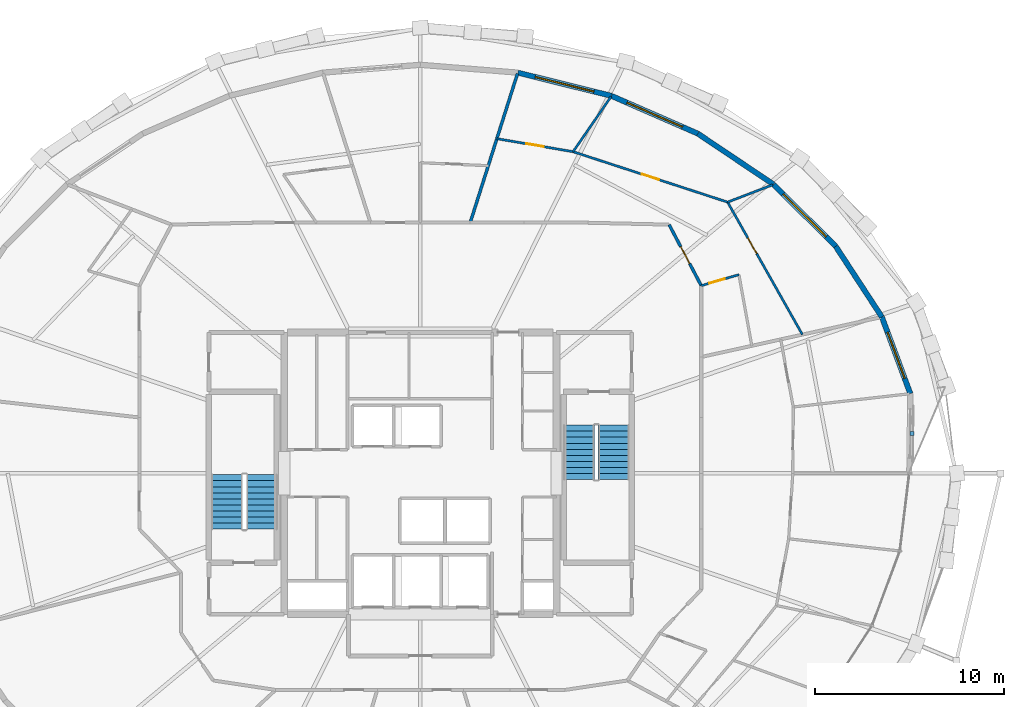
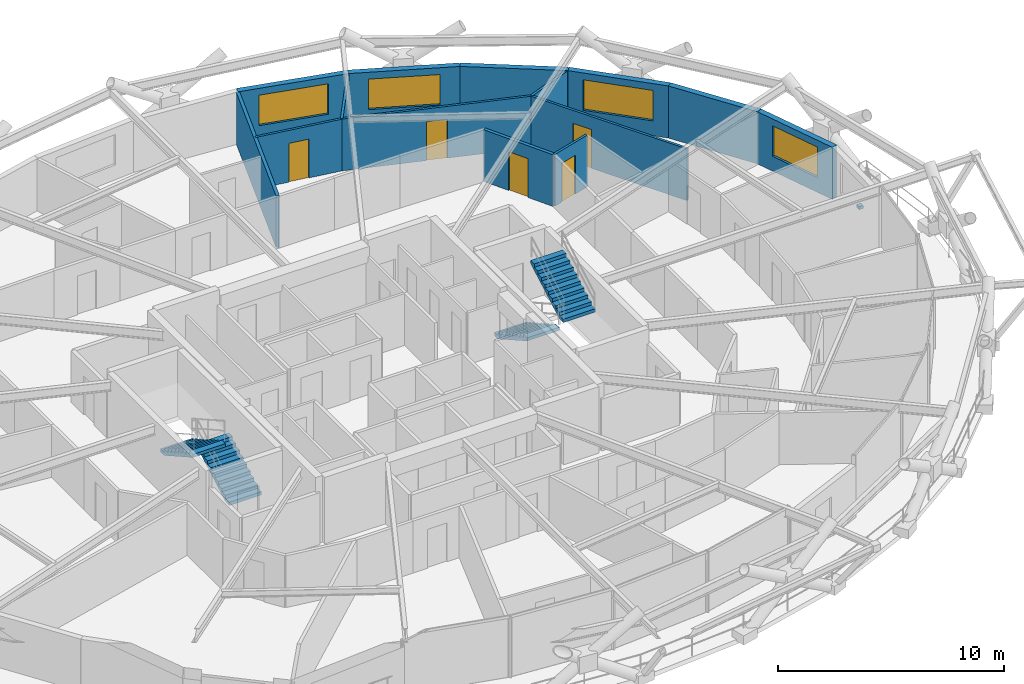
# One storey, part 19 of 22: 14 walls, 5 doors, 4 stair flights, 4 windows, 1 discrete accessory, 9 openings, 2 elements without a shape of their own.
"""IFC4 building model written with IfcOpenShell, lengths in metres."""

from ifc_helpers import new_model, si_unit, direction, frame, frame_2d, origin, origin_2d, place, context, subcontext, project, spatial, polyline, rectangle, outline, extrude, material, layer, layer_set, type_object, element, fill, aggregate, save


model = new_model("IFC4")

# Units and contexts
model_context = context("Model", 3, precision=1e-05, world=origin(), true_north=direction((0.0, 1.0)))
body_context = subcontext(model_context, "Body", "Model", "MODEL_VIEW")
ifc_project = project(units=[si_unit("LENGTHUNIT", "METRE"), si_unit("AREAUNIT", "SQUARE_METRE"), si_unit("VOLUMEUNIT", "CUBIC_METRE"), si_unit("PLANEANGLEUNIT", "RADIAN"), si_unit("MASSUNIT", "GRAM", prefix="KILO")], contexts=[model_context])

# Site, building, storey
site_placement = place(None, origin())
site = spatial("IfcSite", under=ifc_project, at=site_placement, CompositionType="ELEMENT")
building_placement = place(site_placement, origin())
building = spatial("IfcBuilding", under=site, at=building_placement, Name="Veldorina Hangang Commons", CompositionType="ELEMENT")
storey_placement = place(building_placement, frame((0.0, 0.0, 146.0)))
storey = spatial("IfcBuildingStorey", under=building, at=storey_placement, Name="L37", CompositionType="ELEMENT", Elevation=146.0)

# Wall, opening, window
ifc_material_1 = material(Name="Stone Roman Travertine", Category="masonry")
ifc_layer_1 = layer(ifc_material_1, 0.280029296875)
ifc_layer_set_1 = layer_set([ifc_layer_1], Name="Stone Roman Travertine")
wall_type_1 = type_object("IfcWallType", Name="EW-TRAV-280", PredefinedType="STANDARD", material=ifc_layer_set_1)
wall_1_placement = place(storey_placement, frame((57.903076171875, 28.2138671875, 0.0), z_axis=(0.0, 0.0, 1.0), x_axis=(-0.347777987911, 0.937576914778, 0.0)))
wall_1 = element("IfcWall", 1, at=wall_1_placement, inside=storey, type_object=wall_type_1, Name="L37 travertine facade wall 01", PredefinedType="STANDARD", context=body_context, shape_type="SweptSolid", body=[
    extrude(rectangle(XDim=4.321533203125, YDim=0.280029296875, at=frame_2d((2.16064453125, 0.0))), origin(), (0.0, 0.0, 1.0), 2.820068359375),
])
opening_1_placement = place(wall_1_placement, frame((0.86083984375, 0.0, 0.800048828125)))
opening_1 = element("IfcOpeningElement", 2, at=opening_1_placement, cuts=wall_1, Name="Opening W-02", PredefinedType="OPENING", context=body_context, shape_type="SweptSolid", body=[
    extrude(rectangle(XDim=2.60009765625, YDim=1.64990234375, at=frame_2d((1.300048828125, 0.824951171875))), frame((0.0, 0.14990234375, 0.0), z_axis=(0.0, -1.0, 0.0), x_axis=(1.0, 0.0, 0.0)), (0.0, 0.0, 1.0), 0.300048828125),
])
ifc_material_2 = material(Name="Glass Low-E Triple IGU", Category="glass")
window_type_1 = type_object("IfcWindowType", Name="WIN-TWR-2600", PartitioningType="SINGLE_PANEL", PredefinedType="WINDOW", material=ifc_material_2)
window_1_placement = place(opening_1_placement, origin())
window_1 = element("IfcWindow", 3, at=window_1_placement, inside=storey, type_object=window_type_1, Name="L37 facade window 01", OverallHeight=1.64990234375, OverallWidth=2.60009765625, PartitioningType="SINGLE_PANEL", PredefinedType="WINDOW", context=body_context, shape_type="SweptSolid", body=[
    extrude(rectangle(XDim=2.60009765625, YDim=1.64990234375, at=frame_2d((1.300048828125, 0.824951171875))), frame((0.0, 0.030029296875, 0.0), z_axis=(0.0, -1.0, 0.0), x_axis=(1.0, 0.0, 0.0)), (0.0, 0.0, 1.0), 0.06005859375),
])
fill(opening_1, window_1)

# Wall
wall_2_placement = place(storey_placement, frame((56.400146484375, 32.265625, 0.0), z_axis=(0.0, 0.0, 1.0), x_axis=(-0.547087162156, 0.837075645927, 0.0)))
element("IfcWall", 4, at=wall_2_placement, inside=storey, type_object=wall_type_1, Name="L37 travertine facade wall 02", PredefinedType="STANDARD", context=body_context, shape_type="SweptSolid", body=[
    extrude(rectangle(XDim=4.461181640625, YDim=0.280029296875, at=frame_2d((2.23046875, 0.0))), origin(), (0.0, 0.0, 1.0), 2.820068359375),
])

# Wall, opening, window
wall_3_placement = place(storey_placement, frame((53.95947265625, 36.0, 0.0), z_axis=(0.0, 0.0, 1.0), x_axis=(-0.708343047993, 0.70586834917, 0.0)))
wall_3 = element("IfcWall", 5, at=wall_3_placement, inside=storey, type_object=wall_type_1, Name="L37 travertine facade wall 03", PredefinedType="STANDARD", context=body_context, shape_type="SweptSolid", body=[
    extrude(rectangle(XDim=4.63671875, YDim=0.280029296875, at=frame_2d((2.318359375, 0.0))), origin(), (0.0, 0.0, 1.0), 2.820068359375),
])
opening_2_placement = place(wall_3_placement, frame((0.718505859375, 0.0, 0.800048828125)))
opening_2 = element("IfcOpeningElement", 6, at=opening_2_placement, cuts=wall_3, Name="Opening W-01", PredefinedType="OPENING", context=body_context, shape_type="SweptSolid", body=[
    extrude(rectangle(XDim=3.199951171875, YDim=1.64990234375, at=frame_2d((1.60009765625, 0.824951171875))), frame((0.0, 0.14990234375, 0.0), z_axis=(0.0, -1.0, 0.0), x_axis=(1.0, 0.0, 0.0)), (0.0, 0.0, 1.0), 0.300048828125),
])
window_type_2 = type_object("IfcWindowType", Name="WIN-TWR-3200", PartitioningType="SINGLE_PANEL", PredefinedType="WINDOW", material=ifc_material_2)
window_2_placement = place(opening_2_placement, origin())
window_2 = element("IfcWindow", 7, at=window_2_placement, inside=storey, type_object=window_type_2, Name="L37 facade window 03", OverallHeight=1.64990234375, OverallWidth=3.199951171875, PartitioningType="SINGLE_PANEL", PredefinedType="WINDOW", context=body_context, shape_type="SweptSolid", body=[
    extrude(rectangle(XDim=3.199951171875, YDim=1.64990234375, at=frame_2d((1.60009765625, 0.824951171875))), frame((0.0, 0.030029296875, 0.0), z_axis=(0.0, -1.0, 0.0), x_axis=(1.0, 0.0, 0.0)), (0.0, 0.0, 1.0), 0.06005859375),
])
fill(opening_2, window_2)

# Wall
wall_4_placement = place(storey_placement, frame((50.675048828125, 39.27294921875, 0.0), z_axis=(0.0, 0.0, 1.0), x_axis=(-0.830308520581, 0.557304010977, 0.0)))
element("IfcWall", 8, at=wall_4_placement, inside=storey, type_object=wall_type_1, Name="L37 travertine facade wall 04", PredefinedType="STANDARD", context=body_context, shape_type="SweptSolid", body=[
    extrude(rectangle(XDim=4.820068359375, YDim=0.280029296875, at=frame_2d((2.41015625, 0.0))), origin(), (0.0, 0.0, 1.0), 2.820068359375),
])

# Wall, opening, window
wall_5_placement = place(storey_placement, frame((46.6728515625, 41.959228515625, 0.0), z_axis=(0.0, 0.0, 1.0), x_axis=(-0.916285475586, 0.400525813438, 0.0)))
wall_5 = element("IfcWall", 9, at=wall_5_placement, inside=storey, type_object=wall_type_1, Name="L37 travertine facade wall 05", PredefinedType="STANDARD", context=body_context, shape_type="SweptSolid", body=[
    extrude(rectangle(XDim=4.983154296875, YDim=0.280029296875, at=frame_2d((2.49169921875, 0.0))), origin(), (0.0, 0.0, 1.0), 2.820068359375),
])
opening_3_placement = place(wall_5_placement, frame((0.8916015625, 0.0, 0.800048828125)))
opening_3 = element("IfcOpeningElement", 10, at=opening_3_placement, cuts=wall_5, Name="Opening W-01", PredefinedType="OPENING", context=body_context, shape_type="SweptSolid", body=[
    extrude(rectangle(XDim=3.199951171875, YDim=1.64990234375, at=frame_2d((1.60009765625, 0.824951171875))), frame((0.0, 0.14990234375, 0.0), z_axis=(0.0, -1.0, 0.0), x_axis=(1.0, 0.0, 0.0)), (0.0, 0.0, 1.0), 0.300048828125),
])
window_3_placement = place(opening_3_placement, origin())
window_3 = element("IfcWindow", 11, at=window_3_placement, inside=storey, type_object=window_type_2, Name="L37 facade window 05", OverallHeight=1.64990234375, OverallWidth=3.199951171875, PartitioningType="SINGLE_PANEL", PredefinedType="WINDOW", context=body_context, shape_type="SweptSolid", body=[
    extrude(rectangle(XDim=3.199951171875, YDim=1.64990234375, at=frame_2d((1.60009765625, 0.824951171875))), frame((0.0, 0.030029296875, 0.0), z_axis=(0.0, -1.0, 0.0), x_axis=(1.0, 0.0, 0.0)), (0.0, 0.0, 1.0), 0.06005859375),
])
fill(opening_3, window_3)

wall_6_placement = place(storey_placement, frame((42.10693359375, 43.955078125, 0.0), z_axis=(0.0, 0.0, 1.0), x_axis=(-0.970574196652, 0.240802260774, 0.0)))
wall_6 = element("IfcWall", 12, at=wall_6_placement, inside=storey, type_object=wall_type_1, Name="L37 travertine facade wall 06", PredefinedType="STANDARD", context=body_context, shape_type="SweptSolid", body=[
    extrude(rectangle(XDim=5.104736328125, YDim=0.280029296875, at=frame_2d((2.55224609375, 0.0))), origin(), (0.0, 0.0, 1.0), 2.820068359375),
])
opening_4_placement = place(wall_6_placement, frame((0.952392578125, 0.0, 0.800048828125)))
opening_4 = element("IfcOpeningElement", 13, at=opening_4_placement, cuts=wall_6, Name="Opening W-01", PredefinedType="OPENING", context=body_context, shape_type="SweptSolid", body=[
    extrude(rectangle(XDim=3.199951171875, YDim=1.64990234375, at=frame_2d((1.60009765625, 0.824951171875))), frame((0.0, 0.14990234375, 0.0), z_axis=(0.0, -1.0, 0.0), x_axis=(1.0, 0.0, 0.0)), (0.0, 0.0, 1.0), 0.300048828125),
])
window_4_placement = place(opening_4_placement, origin())
window_4 = element("IfcWindow", 14, at=window_4_placement, inside=storey, type_object=window_type_2, Name="L37 facade window 06", OverallHeight=1.64990234375, OverallWidth=3.199951171875, PartitioningType="SINGLE_PANEL", PredefinedType="WINDOW", context=body_context, shape_type="SweptSolid", body=[
    extrude(rectangle(XDim=3.199951171875, YDim=1.64990234375, at=frame_2d((1.60009765625, 0.824951171875))), frame((0.0, 0.030029296875, 0.0), z_axis=(0.0, -1.0, 0.0), x_axis=(1.0, 0.0, 0.0)), (0.0, 0.0, 1.0), 0.06005859375),
])
fill(opening_4, window_4)

# Wall, opening, door
ifc_material_3 = material(Name="Gypsum Fire-Rated Twin Stud Wall", Category="gypsum")
ifc_layer_2 = layer(ifc_material_3, 0.159912109375)
ifc_layer_set_2 = layer_set([ifc_layer_2], Name="Gypsum Fire-Rated Twin Stud Wall")
wall_type_2 = type_object("IfcWallType", Name="WL-FIRE-160", PredefinedType="SOLIDWALL", material=ifc_layer_set_2)
wall_7_placement = place(storey_placement, frame((46.85009765625, 33.922607421875, 0.0), z_axis=(0.0, 0.0, 1.0), x_axis=(-0.466093963429, 0.884735224378, 0.0)))
wall_7 = element("IfcWall", 15, at=wall_7_placement, inside=storey, type_object=wall_type_2, Name="L37 U-corridor outer wall 03 053", PredefinedType="SOLIDWALL", context=body_context, shape_type="SweptSolid", body=[
    extrude(rectangle(XDim=3.647705078125, YDim=0.159912109375, at=frame_2d((1.82373046875, 0.0))), origin(), (0.0, 0.0, 1.0), 2.800048828125),
])
opening_5_placement = place(wall_7_placement, frame((1.323974609375, 0.0, 0.0)))
opening_5 = element("IfcOpeningElement", 16, at=opening_5_placement, cuts=wall_7, Name="Opening D-06", PredefinedType="OPENING", context=body_context, shape_type="SweptSolid", body=[
    extrude(rectangle(XDim=1.0, YDim=2.10009765625, at=frame_2d((0.5, 1.050048828125))), frame((0.0, 0.08984375, 0.0), z_axis=(0.0, -1.0, 0.0), x_axis=(1.0, 0.0, 0.0)), (0.0, 0.0, 1.0), 0.179931640625),
])
ifc_material_4 = material(Name="Timber Fire-Rated Entrance Core", Category="wood")
door_type_1 = type_object("IfcDoorType", Name="DR-UNIT-1000", OperationType="SINGLE_SWING_LEFT", PredefinedType="DOOR", material=ifc_material_4)
door_1_placement = place(opening_5_placement, origin())
door_1 = element("IfcDoor", 17, at=door_1_placement, inside=storey, type_object=door_type_1, Name="L37 Cluster 3 entrance door 033", OperationType="SINGLE_SWING_LEFT", OverallHeight=2.10009765625, OverallWidth=1.0, PredefinedType="DOOR", context=body_context, shape_type="SweptSolid", body=[
    extrude(rectangle(XDim=1.0, YDim=2.10009765625, at=frame_2d((0.5, 1.050048828125))), frame((0.0, 0.02490234375, 0.0), z_axis=(0.0, -1.0, 0.0), x_axis=(1.0, 0.0, 0.0)), (0.0, 0.0, 1.0), 0.050048828125),
])
fill(opening_5, door_1)

# Wall
wall_8_placement = place(storey_placement, frame((34.635498046875, 37.25, 0.0), z_axis=(0.0, 0.0, 1.0), x_axis=(0.302358297893, 0.953194345186, 0.0)))
element("IfcWall", 18, at=wall_8_placement, inside=storey, type_object=wall_type_2, Name="L37 Unit party wall 07 108", PredefinedType="SOLIDWALL", context=body_context, shape_type="SweptSolid", body=[
    extrude(rectangle(XDim=8.27392578125, YDim=0.159912109375, at=frame_2d((4.136962890625, 0.0))), origin(), (0.0, 0.0, 1.0), 2.800048828125),
])

# Wall, opening, door
ifc_material_5 = material(Name="Gypsum Acoustic Stud Partition", Category="gypsum")
ifc_layer_3 = layer(ifc_material_5, 0.1201171875)
ifc_layer_set_3 = layer_set([ifc_layer_3], Name="Gypsum Acoustic Stud Partition")
wall_type_3 = type_object("IfcWallType", Name="WL-PART-120", PredefinedType="PARTITIONING", material=ifc_layer_set_3)
wall_9_placement = place(storey_placement, frame((46.85009765625, 33.922607421875, 0.0), z_axis=(0.0, 0.0, 1.0), x_axis=(0.959881252976, 0.280406811944, 0.0)))
wall_9 = element("IfcWall", 19, at=wall_9_placement, inside=storey, type_object=wall_type_3, Name="L37 Cluster 3 bath side wall 102", PredefinedType="PARTITIONING", context=body_context, shape_type="SweptSolid", body=[
    extrude(rectangle(XDim=2.073974609375, YDim=0.1201171875, at=frame_2d((1.037109375, 0.0))), origin(), (0.0, 0.0, 1.0), 2.800048828125),
])
opening_6_placement = place(wall_9_placement, frame((0.43994140625, 0.0, 0.0)))
opening_6 = element("IfcOpeningElement", 20, at=opening_6_placement, cuts=wall_9, Name="Opening D-01", PredefinedType="OPENING", context=body_context, shape_type="SweptSolid", body=[
    extrude(rectangle(XDim=0.860107421875, YDim=2.10009765625, at=frame_2d((0.43017578125, 1.050048828125))), frame((0.0, 0.070068359375, 0.0), z_axis=(0.0, -1.0, 0.0), x_axis=(1.0, 0.0, 0.0)), (0.0, 0.0, 1.0), 0.14013671875),
])
ifc_material_6 = material(Name="Timber Moisture-Resistant Core", Category="wood")
door_type_2 = type_object("IfcDoorType", Name="DR-WET-860", OperationType="SINGLE_SWING_LEFT", PredefinedType="DOOR", material=ifc_material_6)
door_2_placement = place(opening_6_placement, origin())
door_2 = element("IfcDoor", 21, at=door_2_placement, inside=storey, type_object=door_type_2, Name="L37 Cluster 3 shared bathroom door 032", OperationType="SINGLE_SWING_RIGHT", OverallHeight=2.10009765625, OverallWidth=0.860107421875, PredefinedType="DOOR", context=body_context, shape_type="SweptSolid", body=[
    extrude(rectangle(XDim=0.860107421875, YDim=2.10009765625, at=frame_2d((0.43017578125, 1.050048828125))), frame((0.0, 0.02490234375, 0.0), z_axis=(0.0, -1.0, 0.0), x_axis=(1.0, 0.0, 0.0)), (0.0, 0.0, 1.0), 0.050048828125),
])
fill(opening_6, door_2)

wall_10_placement = place(storey_placement, frame((52.197998046875, 31.335205078125, 0.0), z_axis=(0.0, 0.0, 1.0), x_axis=(-0.491634094676, 0.870801881574, 0.0)))
wall_10 = element("IfcWall", 22, at=wall_10_placement, inside=storey, type_object=wall_type_3, Name="L37 Cluster 3 bed 1 front wall 103", PredefinedType="PARTITIONING", context=body_context, shape_type="SweptSolid", body=[
    extrude(rectangle(XDim=8.042724609375, YDim=0.1201171875, at=frame_2d((4.021484375, 0.0))), origin(), (0.0, 0.0, 1.0), 2.800048828125),
])
opening_7_placement = place(wall_10_placement, frame((4.9130859375, 0.0, 0.0)))
opening_7 = element("IfcOpeningElement", 23, at=opening_7_placement, cuts=wall_10, Name="Opening D-02", PredefinedType="OPENING", context=body_context, shape_type="SweptSolid", body=[
    extrude(rectangle(XDim=0.949951171875, YDim=2.10009765625, at=frame_2d((0.47509765625, 1.050048828125))), frame((0.0, 0.070068359375, 0.0), z_axis=(0.0, -1.0, 0.0), x_axis=(1.0, 0.0, 0.0)), (0.0, 0.0, 1.0), 0.14013671875),
])
ifc_material_7 = material(Name="Timber Solid Core Acoustic", Category="wood")
door_type_3 = type_object("IfcDoorType", Name="DR-INT-950", OperationType="SINGLE_SWING_LEFT", PredefinedType="DOOR", material=ifc_material_7)
door_3_placement = place(opening_7_placement, origin())
door_3 = element("IfcDoor", 24, at=door_3_placement, inside=storey, type_object=door_type_3, Name="L37 Cluster 3 bed 1 door 034", OperationType="SINGLE_SWING_RIGHT", OverallHeight=2.10009765625, OverallWidth=0.949951171875, PredefinedType="DOOR", context=body_context, shape_type="SweptSolid", body=[
    extrude(rectangle(XDim=0.949951171875, YDim=2.10009765625, at=frame_2d((0.47509765625, 1.050048828125))), frame((0.0, 0.02490234375, 0.0), z_axis=(0.0, -1.0, 0.0), x_axis=(1.0, 0.0, 0.0)), (0.0, 0.0, 1.0), 0.050048828125),
])
fill(opening_7, door_3)

wall_11_placement = place(storey_placement, frame((48.243896484375, 38.3388671875, 0.0), z_axis=(0.0, 0.0, 1.0), x_axis=(-0.950656085118, 0.310246688667, 0.0)))
wall_11 = element("IfcWall", 25, at=wall_11_placement, inside=storey, type_object=wall_type_3, Name="L37 Cluster 3 bed 2 front wall 104", PredefinedType="PARTITIONING", context=body_context, shape_type="SweptSolid", body=[
    extrude(rectangle(XDim=8.59326171875, YDim=0.1201171875, at=frame_2d((4.296630859375, 0.0))), origin(), (0.0, 0.0, 1.0), 2.800048828125),
])
opening_8_placement = place(wall_11_placement, frame((3.821533203125, 0.0, 0.0)))
opening_8 = element("IfcOpeningElement", 26, at=opening_8_placement, cuts=wall_11, Name="Opening D-02", PredefinedType="OPENING", context=body_context, shape_type="SweptSolid", body=[
    extrude(rectangle(XDim=0.949951171875, YDim=2.10009765625, at=frame_2d((0.47509765625, 1.050048828125))), frame((0.0, 0.070068359375, 0.0), z_axis=(0.0, -1.0, 0.0), x_axis=(1.0, 0.0, 0.0)), (0.0, 0.0, 1.0), 0.14013671875),
])
door_4_placement = place(opening_8_placement, origin())
door_4 = element("IfcDoor", 27, at=door_4_placement, inside=storey, type_object=door_type_3, Name="L37 Cluster 3 bed 2 door 035", OperationType="SINGLE_SWING_LEFT", OverallHeight=2.10009765625, OverallWidth=0.949951171875, PredefinedType="DOOR", context=body_context, shape_type="SweptSolid", body=[
    extrude(rectangle(XDim=0.949951171875, YDim=2.10009765625, at=frame_2d((0.47509765625, 1.050048828125))), frame((0.0, 0.02490234375, 0.0), z_axis=(0.0, -1.0, 0.0), x_axis=(1.0, 0.0, 0.0)), (0.0, 0.0, 1.0), 0.050048828125),
])
fill(opening_8, door_4)

# Wall
wall_12_placement = place(storey_placement, frame((48.243896484375, 38.3388671875, 0.0), z_axis=(0.0, 0.0, 1.0), x_axis=(0.933458867587, 0.358684460945, 0.0)))
element("IfcWall", 28, at=wall_12_placement, inside=storey, type_object=wall_type_3, Name="L37 Cluster 3 bed divider 1 105", PredefinedType="PARTITIONING", context=body_context, shape_type="SweptSolid", body=[
    extrude(rectangle(XDim=2.554443359375, YDim=0.1201171875, at=frame_2d((1.27734375, 0.0))), origin(), (0.0, 0.0, 1.0), 2.800048828125),
])

# Wall, opening, door
wall_13_placement = place(storey_placement, frame((40.07470703125, 41.0048828125, 0.0), z_axis=(0.0, 0.0, 1.0), x_axis=(-0.985727483478, 0.16834882927, 0.0)))
wall_13 = element("IfcWall", 29, at=wall_13_placement, inside=storey, type_object=wall_type_3, Name="L37 Cluster 3 bed 3 front wall 106", PredefinedType="PARTITIONING", context=body_context, shape_type="SweptSolid", body=[
    extrude(rectangle(XDim=4.088134765625, YDim=0.1201171875, at=frame_2d((2.0439453125, 0.0))), origin(), (0.0, 0.0, 1.0), 2.800048828125),
])
opening_9_placement = place(wall_13_placement, frame((1.569091796875, 0.0, 0.0)))
opening_9 = element("IfcOpeningElement", 30, at=opening_9_placement, cuts=wall_13, Name="Opening D-02", PredefinedType="OPENING", context=body_context, shape_type="SweptSolid", body=[
    extrude(rectangle(XDim=0.949951171875, YDim=2.10009765625, at=frame_2d((0.47509765625, 1.050048828125))), frame((0.0, 0.070068359375, 0.0), z_axis=(0.0, -1.0, 0.0), x_axis=(1.0, 0.0, 0.0)), (0.0, 0.0, 1.0), 0.14013671875),
])
door_5_placement = place(opening_9_placement, origin())
door_5 = element("IfcDoor", 31, at=door_5_placement, inside=storey, type_object=door_type_3, Name="L37 Cluster 3 bed 3 door 036", OperationType="SINGLE_SWING_RIGHT", OverallHeight=2.10009765625, OverallWidth=0.949951171875, PredefinedType="DOOR", context=body_context, shape_type="SweptSolid", body=[
    extrude(rectangle(XDim=0.949951171875, YDim=2.10009765625, at=frame_2d((0.47509765625, 1.050048828125))), frame((0.0, 0.02490234375, 0.0), z_axis=(0.0, -1.0, 0.0), x_axis=(1.0, 0.0, 0.0)), (0.0, 0.0, 1.0), 0.050048828125),
])
fill(opening_9, door_5)

# Wall
wall_14_placement = place(storey_placement, frame((40.07470703125, 41.0048828125, 0.0), z_axis=(0.0, 0.0, 1.0), x_axis=(0.56726774044, 0.8235334302, 0.0)))
element("IfcWall", 32, at=wall_14_placement, inside=storey, type_object=wall_type_3, Name="L37 Cluster 3 bed divider 2 107", PredefinedType="PARTITIONING", context=body_context, shape_type="SweptSolid", body=[
    extrude(rectangle(XDim=3.532470703125, YDim=0.1201171875, at=frame_2d((1.76611328125, 0.0))), origin(), (0.0, 0.0, 1.0), 2.800048828125),
])

# Stair, stair flights
ifc_material_8 = material(Name="Concrete C40/50", Category="concrete")
stair_type = type_object("IfcStairType", Name="STR-DOG-1650-20R", PredefinedType="HALF_TURN_STAIR", material=ifc_material_8)
stair_1_placement = place(storey_placement, origin())
stair_1 = element("IfcStair", 33, at=stair_1_placement, inside=storey, type_object=stair_type, Name="L37 Exit stair ST-1", PredefinedType="HALF_TURN_STAIR")
stair_flight_type = type_object("IfcStairFlightType", Name="SFL-STR-1650-20R", PredefinedType="STRAIGHT", material=ifc_material_8)
stair_flight_1_placement = place(storey_placement, frame((23.625, 21.050048828125, 0.0), z_axis=(0.0, 0.0, 1.0), x_axis=(0.0, 1.0, 0.0)))
stair_flight_1 = element("IfcStairFlight", 34, at=stair_flight_1_placement, type_object=stair_flight_type, Name="ST-1 flight 1", NumberOfRisers=10, NumberOfTreads=9, PredefinedType="STRAIGHT", RiserHeight=0.18, TreadLength=0.32, context=body_context, shape_type="SweptSolid", body=[
    extrude(outline(polyline([(0.0, 0.0), (0.0, 0.179931640625), (0.320068359375, 0.179931640625), (0.320068359375, 0.360107421875), (0.639892578125, 0.360107421875), (0.639892578125, 0.5400390625), (0.9599609375, 0.5400390625), (0.9599609375, 0.719970703125), (1.280029296875, 0.719970703125), (1.280029296875, 0.89990234375), (1.60009765625, 0.89990234375), (1.60009765625, 1.080078125), (1.919921875, 1.080078125), (1.919921875, 1.260009765625), (2.239990234375, 1.260009765625), (2.239990234375, 1.43994140625), (2.56005859375, 1.43994140625), (2.56005859375, 1.6201171875), (2.8798828125, 1.6201171875), (2.8798828125, 1.800048828125), (2.8798828125, 1.447998046875), (0.3056640625, 0.0), (0.0, 0.0)])), frame((0.0, 0.824951171875, 0.0), z_axis=(0.0, -1.0, 0.0), x_axis=(1.0, 0.0, 0.0)), (0.0, 0.0, 1.0), 1.64990234375),
])
stair_flight_2_placement = place(storey_placement, frame((21.77490234375, 23.929931640625, 1.800048828125), z_axis=(0.0, 0.0, 1.0), x_axis=(0.0, -1.0, 0.0)))
stair_flight_2 = element("IfcStairFlight", 35, at=stair_flight_2_placement, type_object=stair_flight_type, Name="ST-1 flight 2", NumberOfRisers=10, NumberOfTreads=9, PredefinedType="STRAIGHT", RiserHeight=0.18, TreadLength=0.32, context=body_context, shape_type="SweptSolid", body=[
    extrude(outline(polyline([(0.0, 0.0), (0.0, 0.179931640625), (0.320068359375, 0.179931640625), (0.320068359375, 0.360107421875), (0.639892578125, 0.360107421875), (0.639892578125, 0.5400390625), (0.9599609375, 0.5400390625), (0.9599609375, 0.719970703125), (1.280029296875, 0.719970703125), (1.280029296875, 0.89990234375), (1.60009765625, 0.89990234375), (1.60009765625, 1.080078125), (1.919921875, 1.080078125), (1.919921875, 1.260009765625), (2.239990234375, 1.260009765625), (2.239990234375, 1.43994140625), (2.56005859375, 1.43994140625), (2.56005859375, 1.6201171875), (2.8798828125, 1.6201171875), (2.8798828125, 1.800048828125), (2.8798828125, 1.447998046875), (0.3056640625, 0.0), (0.0, 0.0)])), frame((0.0, 0.824951171875, 0.0), z_axis=(0.0, -1.0, 0.0), x_axis=(1.0, 0.0, 0.0)), (0.0, 0.0, 1.0), 1.64990234375),
])
aggregate(stair_1, [stair_flight_1, stair_flight_2])

stair_2_placement = place(storey_placement, origin())
stair_2 = element("IfcStair", 36, at=stair_2_placement, inside=storey, type_object=stair_type, Name="L37 Exit stair ST-2", PredefinedType="HALF_TURN_STAIR")
stair_flight_3_placement = place(storey_placement, frame((40.375, 26.550048828125, 0.0), z_axis=(0.0, 0.0, 1.0), x_axis=(0.0, -1.0, 0.0)))
stair_flight_3 = element("IfcStairFlight", 37, at=stair_flight_3_placement, type_object=stair_flight_type, Name="ST-2 flight 1", NumberOfRisers=10, NumberOfTreads=9, PredefinedType="STRAIGHT", RiserHeight=0.18, TreadLength=0.32, context=body_context, shape_type="SweptSolid", body=[
    extrude(outline(polyline([(0.0, 0.0), (0.0, 0.179931640625), (0.320068359375, 0.179931640625), (0.320068359375, 0.360107421875), (0.639892578125, 0.360107421875), (0.639892578125, 0.5400390625), (0.9599609375, 0.5400390625), (0.9599609375, 0.719970703125), (1.280029296875, 0.719970703125), (1.280029296875, 0.89990234375), (1.60009765625, 0.89990234375), (1.60009765625, 1.080078125), (1.919921875, 1.080078125), (1.919921875, 1.260009765625), (2.239990234375, 1.260009765625), (2.239990234375, 1.43994140625), (2.56005859375, 1.43994140625), (2.56005859375, 1.6201171875), (2.8798828125, 1.6201171875), (2.8798828125, 1.800048828125), (2.8798828125, 1.447998046875), (0.3056640625, 0.0), (0.0, 0.0)])), frame((0.0, 0.824951171875, 0.0), z_axis=(0.0, -1.0, 0.0), x_axis=(1.0, 0.0, 0.0)), (0.0, 0.0, 1.0), 1.64990234375),
])
stair_flight_4_placement = place(storey_placement, frame((42.22509765625, 23.669921875, 1.800048828125), z_axis=(0.0, 0.0, 1.0), x_axis=(0.0, 1.0, 0.0)))
stair_flight_4 = element("IfcStairFlight", 38, at=stair_flight_4_placement, type_object=stair_flight_type, Name="ST-2 flight 2", NumberOfRisers=10, NumberOfTreads=9, PredefinedType="STRAIGHT", RiserHeight=0.18, TreadLength=0.32, context=body_context, shape_type="SweptSolid", body=[
    extrude(outline(polyline([(0.0, 0.0), (0.0, 0.179931640625), (0.320068359375, 0.179931640625), (0.320068359375, 0.360107421875), (0.639892578125, 0.360107421875), (0.639892578125, 0.5400390625), (0.9599609375, 0.5400390625), (0.9599609375, 0.719970703125), (1.280029296875, 0.719970703125), (1.280029296875, 0.89990234375), (1.60009765625, 0.89990234375), (1.60009765625, 1.080078125), (1.919921875, 1.080078125), (1.919921875, 1.260009765625), (2.239990234375, 1.260009765625), (2.239990234375, 1.43994140625), (2.56005859375, 1.43994140625), (2.56005859375, 1.6201171875), (2.8798828125, 1.6201171875), (2.8798828125, 1.800048828125), (2.8798828125, 1.447998046875), (0.3056640625, 0.0), (0.0, 0.0)])), frame((0.0, 0.824951171875, 0.0), z_axis=(0.0, -1.0, 0.0), x_axis=(1.0, 0.0, 0.0)), (0.0, 0.0, 1.0), 1.64990234375),
])
aggregate(stair_2, [stair_flight_3, stair_flight_4])

# Discrete accessory
ifc_material_9 = material(Name="Stainless Steel Brushed 316", Category="steel")
discrete_accessory_type = type_object("IfcDiscreteAccessoryType", Name="BRK-SCR-SS", PredefinedType="BRACKET", material=ifc_material_9)
discrete_accessory_placement = place(storey_placement, frame((57.99658203125, 26.10546875, 0.72021484375), z_axis=(0.0, 0.0, 1.0), x_axis=(0.012461328328, 0.999922354634, 0.0)))
element("IfcDiscreteAccessory", 39, at=discrete_accessory_placement, inside=storey, type_object=discrete_accessory_type, Name="L37 solar screen support bracket 00", PredefinedType="BRACKET", context=body_context, shape_type="SweptSolid", body=[
    extrude(rectangle(XDim=0.219970703125, YDim=0.219970703125, at=origin_2d()), origin(), (0.0, 0.0, 1.0), 0.159912109375),
])

save(model, "model.ifc")
